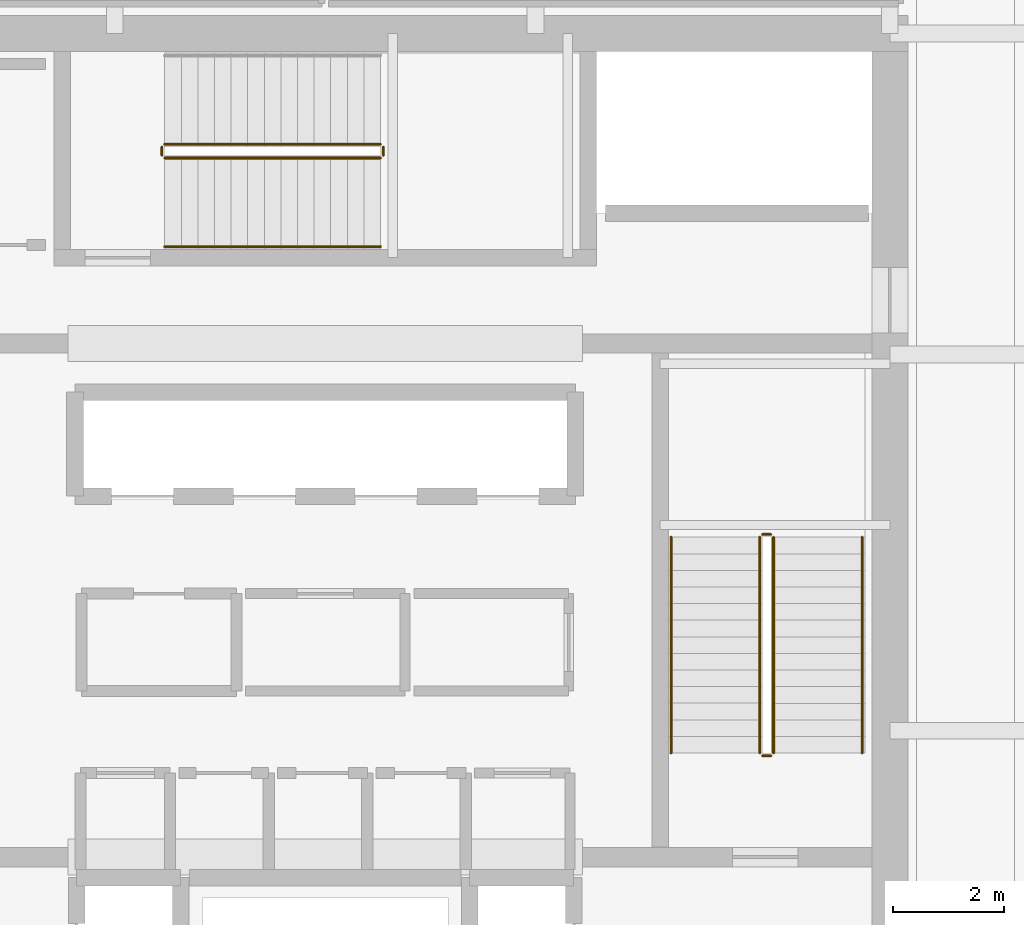
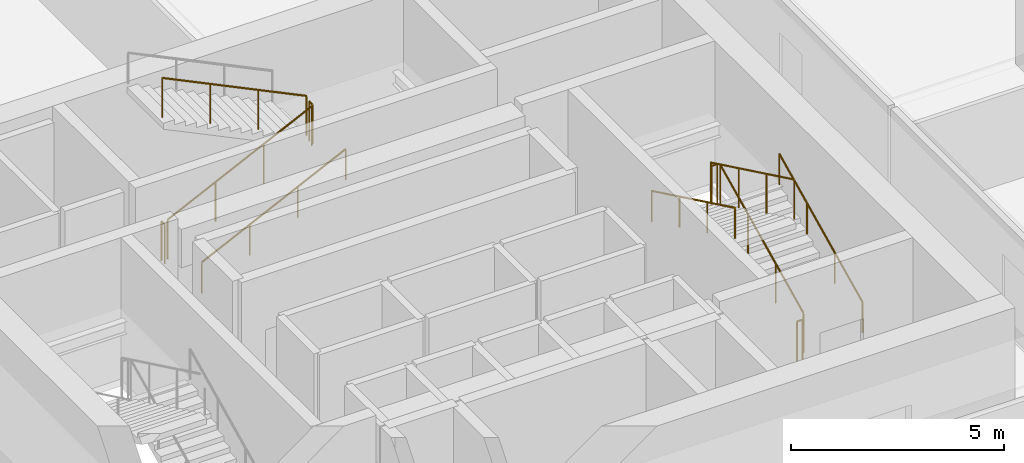
# One storey, part 35 of 36: 11 railings.
"""IFC4 building model written with IfcOpenShell, lengths in metres."""

from ifc_helpers import new_model, si_unit, direction, frame, origin, origin_2d, place, context, subcontext, project, spatial, circle, extrude, material, type_object, element, save


model = new_model("IFC4")

# Units and contexts
model_context = context("Model", 3, precision=1e-05, world=origin(), true_north=direction((0.0, 1.0)))
body_context = subcontext(model_context, "Body", "Model", "MODEL_VIEW")
ifc_project = project(units=[si_unit("LENGTHUNIT", "METRE"), si_unit("AREAUNIT", "SQUARE_METRE"), si_unit("VOLUMEUNIT", "CUBIC_METRE"), si_unit("PLANEANGLEUNIT", "RADIAN"), si_unit("MASSUNIT", "GRAM", prefix="KILO")], contexts=[model_context])

# Site, building, storey
site_placement = place(None, origin())
site = spatial("IfcSite", under=ifc_project, at=site_placement, CompositionType="ELEMENT")
building_placement = place(site_placement, origin())
building = spatial("IfcBuilding", under=site, at=building_placement, Name="Punatoya Terracotta Tower", CompositionType="ELEMENT")
storey_placement = place(building_placement, frame((0.0, 0.0, 228.89990234375)))
storey = spatial("IfcBuildingStorey", under=building, at=storey_placement, Name="L54", CompositionType="ELEMENT", Elevation=228.89990234375)

# Railings
ifc_material = material(Name="Steel S355", Category="steel")
railing_type_1 = type_object("IfcRailingType", Name="RLG-GRD-1150", PredefinedType="GUARDRAIL", material=ifc_material)
railing_1_placement = place(storey_placement, frame((8.10009765625, -3.800048828125, 0.144775390625)))
element("IfcRailing", 1, at=railing_1_placement, inside=storey, type_object=railing_type_1, Name="L54 ST-2 stair guard 1", PredefinedType="GUARDRAIL", context=body_context, shape_type="SweptSolid", body=[
    extrude(circle(Radius=0.02392578125, at=origin_2d()), frame((0.0, 0.0, 1.1259765625), z_axis=(0.0, 0.900773802044, 0.434288564841), x_axis=(-1.0, 0.0, 0.0)), (0.0, 0.0, 1.0), 4.329833984375),
    extrude(circle(Radius=0.02099609375, at=origin_2d()), origin(), (0.0, 0.0, 1.0), 1.101806640625),
    extrude(circle(Radius=0.02099609375, at=origin_2d()), frame((0.0, 1.300048828125, 0.626708984375)), (0.0, 0.0, 1.0), 1.101806640625),
    extrude(circle(Radius=0.02099609375, at=origin_2d()), frame((0.0, 2.60009765625, 1.253662109375)), (0.0, 0.0, 1.0), 1.101806640625),
    extrude(circle(Radius=0.02099609375, at=origin_2d()), frame((0.0, 3.900146484375, 1.88037109375)), (0.0, 0.0, 1.0), 1.101806640625),
])
railing_2_placement = place(storey_placement, frame((8.050048828125, 0.14990234375, 2.025146484375)))
element("IfcRailing", 2, at=railing_2_placement, inside=storey, type_object=railing_type_1, Name="L54 ST-2 stair guard 2", PredefinedType="GUARDRAIL", context=body_context, shape_type="SweptSolid", body=[
    extrude(circle(Radius=0.02392578125, at=origin_2d()), frame((0.0, 0.0, 1.1259765625), z_axis=(-1.0, 0.0, 0.0), x_axis=(0.0, -1.0, 0.0)), (0.0, 0.0, 1.0), 0.150146484375),
    extrude(circle(Radius=0.02099609375, at=origin_2d()), origin(), (0.0, 0.0, 1.0), 1.101806640625),
    extrude(circle(Radius=0.02099609375, at=origin_2d()), frame((-0.150146484375, 0.0, 0.0)), (0.0, 0.0, 1.0), 1.101806640625),
])
railing_3_placement = place(storey_placement, frame((7.85009765625, 0.10009765625, 2.169677734375)))
element("IfcRailing", 3, at=railing_3_placement, inside=storey, type_object=railing_type_1, Name="L54 ST-2 stair guard 3", PredefinedType="GUARDRAIL", context=body_context, shape_type="SweptSolid", body=[
    extrude(circle(Radius=0.02392578125, at=origin_2d()), frame((0.0, 0.0, 1.1259765625), z_axis=(0.0, -0.900773802044, 0.434288564841), x_axis=(1.0, 0.0, 0.0)), (0.0, 0.0, 1.0), 4.329833984375),
    extrude(circle(Radius=0.02099609375, at=origin_2d()), origin(), (0.0, 0.0, 1.0), 1.101806640625),
    extrude(circle(Radius=0.02099609375, at=origin_2d()), frame((0.0, -1.300048828125, 0.626708984375)), (0.0, 0.0, 1.0), 1.101806640625),
    extrude(circle(Radius=0.02099609375, at=origin_2d()), frame((0.0, -2.60009765625, 1.253662109375)), (0.0, 0.0, 1.0), 1.101806640625),
    extrude(circle(Radius=0.02099609375, at=origin_2d()), frame((0.0, -3.900146484375, 1.88037109375)), (0.0, 0.0, 1.0), 1.101806640625),
])
railing_4_placement = place(storey_placement, frame((8.050048828125, -3.85009765625, 0.0)))
element("IfcRailing", 4, at=railing_4_placement, inside=storey, type_object=railing_type_1, Name="L54 ST-2 stair guard 4", PredefinedType="GUARDRAIL", context=body_context, shape_type="SweptSolid", body=[
    extrude(circle(Radius=0.02392578125, at=origin_2d()), frame((0.0, 0.0, 1.1259765625), z_axis=(-1.0, 0.0, 0.0), x_axis=(0.0, -1.0, 0.0)), (0.0, 0.0, 1.0), 0.150146484375),
    extrude(circle(Radius=0.02099609375, at=origin_2d()), origin(), (0.0, 0.0, 1.0), 1.101806640625),
    extrude(circle(Radius=0.02099609375, at=origin_2d()), frame((-0.150146484375, 0.0, 0.0)), (0.0, 0.0, 1.0), 1.101806640625),
])
railing_5_placement = place(storey_placement, frame((-2.89990234375, 6.949951171875, 0.144775390625)))
element("IfcRailing", 5, at=railing_5_placement, inside=storey, type_object=railing_type_1, Name="L54 ST-3 stair guard 1", PredefinedType="GUARDRAIL", context=body_context, shape_type="SweptSolid", body=[
    extrude(circle(Radius=0.02392578125, at=origin_2d()), frame((0.0, 0.0, 1.1259765625), z_axis=(0.900763166376, 0.0, 0.434310623978), x_axis=(0.0, 1.0, 0.0)), (0.0, 0.0, 1.0), 4.32958984375),
    extrude(circle(Radius=0.02099609375, at=origin_2d()), origin(), (0.0, 0.0, 1.0), 1.101806640625),
    extrude(circle(Radius=0.02099609375, at=origin_2d()), frame((1.300048828125, 0.0, 0.626708984375)), (0.0, 0.0, 1.0), 1.101806640625),
    extrude(circle(Radius=0.02099609375, at=origin_2d()), frame((2.599853515625, 0.0, 1.253662109375)), (0.0, 0.0, 1.0), 1.101806640625),
    extrude(circle(Radius=0.02099609375, at=origin_2d()), frame((3.89990234375, 0.0, 1.88037109375)), (0.0, 0.0, 1.0), 1.101806640625),
])
railing_6_placement = place(storey_placement, frame((1.050048828125, 7.0, 2.025146484375)))
element("IfcRailing", 6, at=railing_6_placement, inside=storey, type_object=railing_type_1, Name="L54 ST-3 stair guard 2", PredefinedType="GUARDRAIL", context=body_context, shape_type="SweptSolid", body=[
    extrude(circle(Radius=0.02392578125, at=origin_2d()), frame((0.0, 0.0, 1.1259765625), z_axis=(0.0, 1.0, 0.0), x_axis=(-1.0, 0.0, 0.0)), (0.0, 0.0, 1.0), 0.14990234375),
    extrude(circle(Radius=0.02099609375, at=origin_2d()), origin(), (0.0, 0.0, 1.0), 1.101806640625),
    extrude(circle(Radius=0.02099609375, at=origin_2d()), frame((0.0, 0.14990234375, 0.0)), (0.0, 0.0, 1.0), 1.101806640625),
])
railing_7_placement = place(storey_placement, frame((1.0, 7.199951171875, 2.169677734375)))
element("IfcRailing", 7, at=railing_7_placement, inside=storey, type_object=railing_type_1, Name="L54 ST-3 stair guard 3", PredefinedType="GUARDRAIL", context=body_context, shape_type="SweptSolid", body=[
    extrude(circle(Radius=0.02392578125, at=origin_2d()), frame((0.0, 0.0, 1.1259765625), z_axis=(-0.900763166376, 0.0, 0.434310623978), x_axis=(0.0, -1.0, 0.0)), (0.0, 0.0, 1.0), 4.32958984375),
    extrude(circle(Radius=0.02099609375, at=origin_2d()), origin(), (0.0, 0.0, 1.0), 1.101806640625),
    extrude(circle(Radius=0.02099609375, at=origin_2d()), frame((-1.300048828125, 0.0, 0.626708984375)), (0.0, 0.0, 1.0), 1.101806640625),
    extrude(circle(Radius=0.02099609375, at=origin_2d()), frame((-2.599853515625, 0.0, 1.253662109375)), (0.0, 0.0, 1.0), 1.101806640625),
    extrude(circle(Radius=0.02099609375, at=origin_2d()), frame((-3.89990234375, 0.0, 1.88037109375)), (0.0, 0.0, 1.0), 1.101806640625),
])
railing_8_placement = place(storey_placement, frame((-2.949951171875, 7.0, 0.0)))
element("IfcRailing", 8, at=railing_8_placement, inside=storey, type_object=railing_type_1, Name="L54 ST-3 stair guard 4", PredefinedType="GUARDRAIL", context=body_context, shape_type="SweptSolid", body=[
    extrude(circle(Radius=0.02392578125, at=origin_2d()), frame((0.0, 0.0, 1.1259765625), z_axis=(0.0, 1.0, 0.0), x_axis=(-1.0, 0.0, 0.0)), (0.0, 0.0, 1.0), 0.14990234375),
    extrude(circle(Radius=0.02099609375, at=origin_2d()), origin(), (0.0, 0.0, 1.0), 1.101806640625),
    extrude(circle(Radius=0.02099609375, at=origin_2d()), frame((0.0, 0.14990234375, 0.0)), (0.0, 0.0, 1.0), 1.101806640625),
])
railing_type_2 = type_object("IfcRailingType", Name="RLG-HND-900", PredefinedType="HANDRAIL", material=ifc_material)
railing_9_placement = place(storey_placement, frame((9.699951171875, -3.800048828125, 0.144775390625)))
element("IfcRailing", 9, at=railing_9_placement, inside=storey, type_object=railing_type_2, Name="L54 ST-2 stair handrail 1", PredefinedType="HANDRAIL", context=body_context, shape_type="SweptSolid", body=[
    extrude(circle(Radius=0.02392578125, at=origin_2d()), frame((0.0, 0.0, 0.8759765625), z_axis=(0.0, 0.900773802044, 0.434288564841), x_axis=(-1.0, 0.0, 0.0)), (0.0, 0.0, 1.0), 4.329833984375),
    extrude(circle(Radius=0.02099609375, at=origin_2d()), origin(), (0.0, 0.0, 1.0), 0.851806640625),
    extrude(circle(Radius=0.02099609375, at=origin_2d()), frame((0.0, 1.300048828125, 0.626708984375)), (0.0, 0.0, 1.0), 0.851806640625),
    extrude(circle(Radius=0.02099609375, at=origin_2d()), frame((0.0, 2.60009765625, 1.253662109375)), (0.0, 0.0, 1.0), 0.851806640625),
    extrude(circle(Radius=0.02099609375, at=origin_2d()), frame((0.0, 3.900146484375, 1.88037109375)), (0.0, 0.0, 1.0), 0.851806640625),
])
railing_10_placement = place(storey_placement, frame((6.25, 0.10009765625, 2.169677734375)))
element("IfcRailing", 10, at=railing_10_placement, inside=storey, type_object=railing_type_2, Name="L54 ST-2 stair handrail 2", PredefinedType="HANDRAIL", context=body_context, shape_type="SweptSolid", body=[
    extrude(circle(Radius=0.02392578125, at=origin_2d()), frame((0.0, 0.0, 0.8759765625), z_axis=(0.0, -0.900773802044, 0.434288564841), x_axis=(1.0, 0.0, 0.0)), (0.0, 0.0, 1.0), 4.329833984375),
    extrude(circle(Radius=0.02099609375, at=origin_2d()), origin(), (0.0, 0.0, 1.0), 0.851806640625),
    extrude(circle(Radius=0.02099609375, at=origin_2d()), frame((0.0, -1.300048828125, 0.626708984375)), (0.0, 0.0, 1.0), 0.851806640625),
    extrude(circle(Radius=0.02099609375, at=origin_2d()), frame((0.0, -2.60009765625, 1.253662109375)), (0.0, 0.0, 1.0), 0.851806640625),
    extrude(circle(Radius=0.02099609375, at=origin_2d()), frame((0.0, -3.900146484375, 1.88037109375)), (0.0, 0.0, 1.0), 0.851806640625),
])
railing_11_placement = place(storey_placement, frame((-2.89990234375, 5.35009765625, 0.144775390625)))
element("IfcRailing", 11, at=railing_11_placement, inside=storey, type_object=railing_type_2, Name="L54 ST-3 stair handrail 1", PredefinedType="HANDRAIL", context=body_context, shape_type="SweptSolid", body=[
    extrude(circle(Radius=0.02392578125, at=origin_2d()), frame((0.0, 0.0, 0.8759765625), z_axis=(0.900763166376, 0.0, 0.434310623978), x_axis=(0.0, 1.0, 0.0)), (0.0, 0.0, 1.0), 4.32958984375),
    extrude(circle(Radius=0.02099609375, at=origin_2d()), origin(), (0.0, 0.0, 1.0), 0.851806640625),
    extrude(circle(Radius=0.02099609375, at=origin_2d()), frame((1.300048828125, 0.0, 0.626708984375)), (0.0, 0.0, 1.0), 0.851806640625),
    extrude(circle(Radius=0.02099609375, at=origin_2d()), frame((2.599853515625, 0.0, 1.253662109375)), (0.0, 0.0, 1.0), 0.851806640625),
    extrude(circle(Radius=0.02099609375, at=origin_2d()), frame((3.89990234375, 0.0, 1.88037109375)), (0.0, 0.0, 1.0), 0.851806640625),
])

save(model, "model.ifc")
